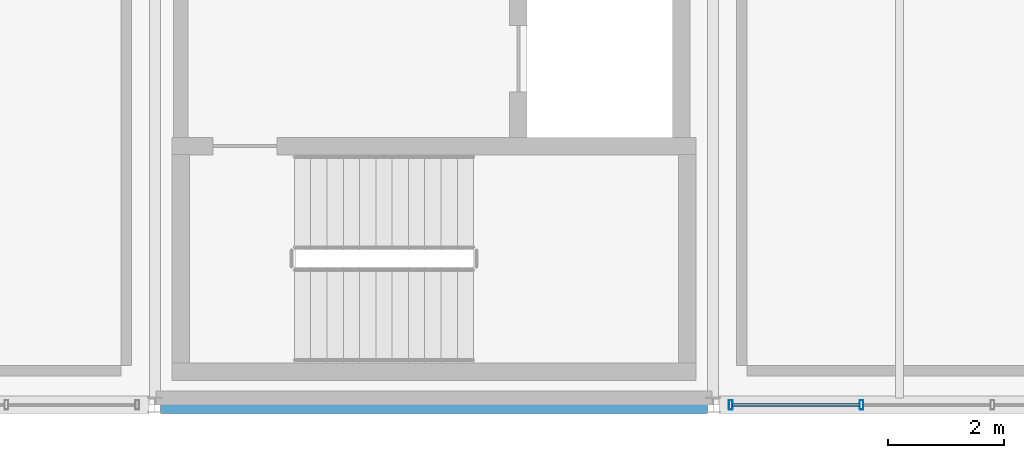
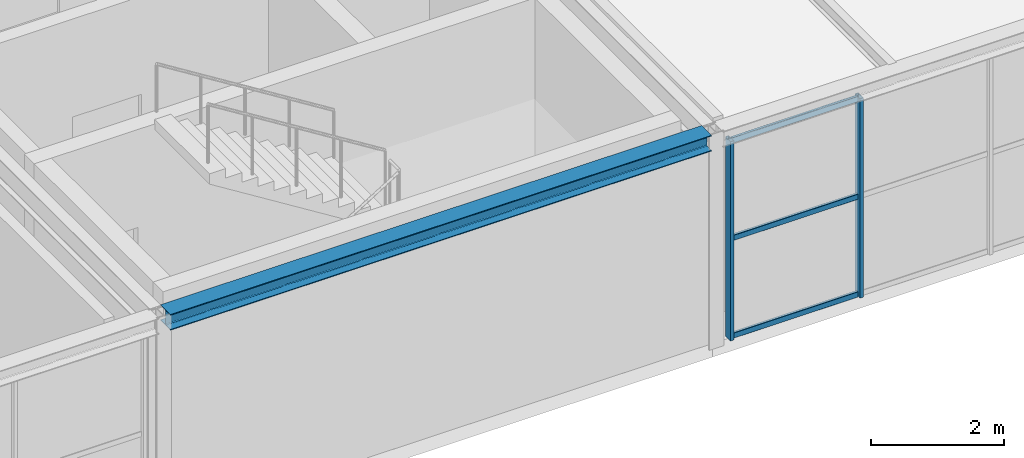
# One storey, part 10 of 39: 5 members, 1 beam, 1 element without a shape of its own.
"""IFC4 building model written with IfcOpenShell, lengths in metres."""

import ifcopenshell
import ifcopenshell.guid

model = None  # the IFC model being written
_history = None  # IfcOwnerHistory: only IFC2X3 demands one
_inside = {}  # id of a spatial element -> (the spatial element, [elements in it])
_under = {}  # id of a project, library or spatial element -> (it, [spatial elements below it])
_declared = {}  # id of a project -> (the project, [libraries it declares])
_typed = {}  # id of a type object -> (the type object, [elements of that type])
_made_of = {}  # id of a material, layer set ... -> (it, [elements and type objects made of it])


def new_model(schema):
    """Start an empty IFC model of exactly this schema.

    Asked for "IFC4X3", IfcOpenShell would pick the latest addendum, in which some entities
    have other attributes; the version numbers below select the first issue.
    IFC2X3 requires an IfcOwnerHistory on every rooted entity: one is made here for all.
    """
    global model, _history
    if schema == "IFC4X3":
        model = ifcopenshell.file(schema_version=(4, 3, 0, 0))
    else:
        model = ifcopenshell.file(schema=schema)
    _inside.clear()
    _under.clear()
    _declared.clear()
    _typed.clear()
    _made_of.clear()
    _history = None
    if model.schema == "IFC2X3":
        org = make("IfcOrganization", Name="unknown")
        user = make(
            "IfcPersonAndOrganization",
            ThePerson=make("IfcPerson", FamilyName="unknown"),
            TheOrganization=org,
        )
        app = make(
            "IfcApplication",
            ApplicationDeveloper=org,
            Version="unknown",
            ApplicationFullName="unknown",
            ApplicationIdentifier="unknown",
        )
        _history = make(
            "IfcOwnerHistory",
            OwningUser=user,
            OwningApplication=app,
            ChangeAction="ADDED",
            CreationDate=0,
        )
    return model


def make(cls, **values):
    """One entity of the class cls with the attributes given. An attribute that is None is left unset."""
    return model.create_entity(
        cls, **{name: value for name, value in values.items() if value is not None}
    )


def rooted(cls, **values):
    """An entity with a GlobalId (a new one), such as an element, a storey or a relation."""
    return make(cls, GlobalId=ifcopenshell.guid.new(), OwnerHistory=_history, **values)


def si_unit(unit_type, name, prefix=None):
    """IfcSIUnit, for example si_unit("LENGTHUNIT", "METRE", prefix="MILLI")."""
    return make("IfcSIUnit", UnitType=unit_type, Prefix=prefix, Name=name)


def assignment(units):
    """IfcUnitAssignment: the units of a project."""
    return None if units is None else make("IfcUnitAssignment", Units=units)


def point(xyz):
    """IfcCartesianPoint."""
    return None if xyz is None else make("IfcCartesianPoint", Coordinates=xyz)


def direction(xyz):
    """IfcDirection."""
    return None if xyz is None else make("IfcDirection", DirectionRatios=xyz)


def frame(location, z_axis=None, x_axis=None):
    """IfcAxis2Placement3D, a coordinate frame: its origin and axes. An axis left out is left unset."""
    return make(
        "IfcAxis2Placement3D",
        Location=point(location),
        Axis=direction(z_axis),
        RefDirection=direction(x_axis),
    )


def frame_2d(location, x_axis=None):
    """IfcAxis2Placement2D, a coordinate frame in the plane: its origin and x axis."""
    return make(
        "IfcAxis2Placement2D", Location=point(location), RefDirection=direction(x_axis)
    )


def origin():
    """The frame at (0, 0, 0) with its axes left unset."""
    return frame((0.0, 0.0, 0.0))


def origin_2d():
    """The frame at (0, 0) in the plane with its x axis left unset."""
    return frame_2d((0.0, 0.0))


def place(relative_to, where):
    """IfcLocalPlacement: puts the frame where relative to a parent placement (None: the world)."""
    return make(
        "IfcLocalPlacement", PlacementRelTo=relative_to, RelativePlacement=where
    )


def context(
    kind, dimensions, precision=None, world=None, true_north=None, identifier=None
):
    """IfcGeometricRepresentationContext, for example the 3D "Model" context."""
    return make(
        "IfcGeometricRepresentationContext",
        ContextIdentifier=identifier,
        ContextType=kind,
        CoordinateSpaceDimension=dimensions,
        Precision=precision,
        WorldCoordinateSystem=world,
        TrueNorth=true_north,
    )


def subcontext(parent, identifier, kind, view, scale=None):
    """IfcGeometricRepresentationSubContext, for example "Body" below "Model"."""
    return make(
        "IfcGeometricRepresentationSubContext",
        ContextIdentifier=identifier,
        ContextType=kind,
        ParentContext=parent,
        TargetScale=scale,
        TargetView=view,
    )


def project(units=None, contexts=None):
    """IfcProject with its units and contexts."""
    return rooted(
        "IfcProject",
        Name="project",
        RepresentationContexts=contexts,
        UnitsInContext=assignment(units),
    )


def spatial(cls, under=None, at=None, **own):
    """A site, building, storey or space (cls), placed at a placement, below another one or the project."""
    s = rooted(cls, ObjectPlacement=at, **own)
    if under is not None:
        _under.setdefault(under.id(), (under, []))[1].append(s)
    return s


def profile(cls, at=None, kind="AREA", **sizes):
    """A parametric profile (cls). Its sizes go by their IFC names, for example OverallWidth=200.0."""
    return make(cls, ProfileType=kind, Position=at, **sizes)


def hollow_rectangle(**sizes):
    """IfcRectangleHollowProfileDef."""
    return profile("IfcRectangleHollowProfileDef", **sizes)


def i_section(**sizes):
    """IfcIShapeProfileDef."""
    return profile("IfcIShapeProfileDef", **sizes)


def extrude(swept, where, along, depth):
    """IfcExtrudedAreaSolid: the profile swept, set in the frame where, extruded along a direction by depth."""
    return make(
        "IfcExtrudedAreaSolid",
        SweptArea=swept,
        Position=where,
        ExtrudedDirection=direction(along),
        Depth=depth,
    )


def shape(context_of_items, identifier, shape_type, items):
    """IfcShapeRepresentation: the items that make up one representation, for example the "Body"."""
    return make(
        "IfcShapeRepresentation",
        ContextOfItems=context_of_items,
        RepresentationIdentifier=identifier,
        RepresentationType=shape_type,
        Items=items,
    )


def material(Name=None, Category=None):
    """IfcMaterial."""
    return make("IfcMaterial", Name=Name, Category=Category)


def material_profile(
    of_material, cross_section, Name=None, Category=None, Priority=None
):
    """IfcMaterialProfile: a cross section and its material."""
    return make(
        "IfcMaterialProfile",
        Name=Name,
        Material=of_material,
        Profile=cross_section,
        Priority=Priority,
        Category=Category,
    )


def profile_set(profiles, Name=None, composite=None):
    """IfcMaterialProfileSet."""
    return make(
        "IfcMaterialProfileSet",
        Name=Name,
        MaterialProfiles=profiles,
        CompositeProfile=composite,
    )


def made_of(thing, what):
    """Note that an element or type object is made of a material, layer set ...; save() writes the relation."""
    if what is not None:
        _made_of.setdefault(what.id(), (what, []))[1].append(thing)
    return thing


def type_object(cls, material=None, **own):
    """A type object (cls), such as IfcWallType, which elements share."""
    return made_of(rooted(cls, **own), material)


def element(
    cls,
    number,
    at=None,
    inside=None,
    cuts=None,
    type_object=None,
    material=None,
    context=None,
    identifier="Body",
    shape_type=None,
    held_by="IfcProductDefinitionShape",
    body=None,
    shapes=None,
    **own,
):
    """One element of the class cls, such as IfcWall. Its Tag is "e" and its number.

    at: its placement. inside: the storey or other place that contains it. cuts: it is an
    opening in that element (IfcRelVoidsElement). A single representation is given by context,
    identifier, shape_type and body (its items); several are given by shapes. held_by: the class
    of the entity that holds the representations. save() writes the other relations.
    """
    e = rooted(cls, Tag="e%d" % number, ObjectPlacement=at, **own)
    if body is not None:
        shapes = [shape(context, identifier, shape_type, body)]
    if shapes is not None:
        e.Representation = make(held_by, Representations=shapes)
    if inside is not None:
        _inside.setdefault(inside.id(), (inside, []))[1].append(e)
    if cuts is not None:
        rooted(
            "IfcRelVoidsElement", RelatingBuildingElement=cuts, RelatedOpeningElement=e
        )
    if type_object is not None:
        _typed.setdefault(type_object.id(), (type_object, []))[1].append(e)
    return made_of(e, material)


def aggregate(whole, parts):
    """IfcRelAggregates: a whole, such as a stair, and the parts it consists of."""
    return rooted("IfcRelAggregates", RelatingObject=whole, RelatedObjects=parts)


def save(model, path):
    """Write the relations noted so far, then the file.

    IfcRelAggregates (storeys below a building ...), IfcRelContainedInSpatialStructure (elements
    in a storey), IfcRelDefinesByType, IfcRelAssociatesMaterial and IfcRelDeclares: one each for
    every whole, place, type object, material and project.
    """
    for whole, parts in _under.values():
        aggregate(whole, parts)
    for where, things in _inside.values():
        rooted(
            "IfcRelContainedInSpatialStructure",
            RelatedElements=things,
            RelatingStructure=where,
        )
    for kind, things in _typed.values():
        rooted("IfcRelDefinesByType", RelatedObjects=things, RelatingType=kind)
    for what, things in _made_of.values():
        rooted("IfcRelAssociatesMaterial", RelatedObjects=things, RelatingMaterial=what)
    for by, libraries in _declared.values():
        rooted("IfcRelDeclares", RelatingContext=by, RelatedDefinitions=libraries)
    model.write(path)


model = new_model("IFC4")

# Units and contexts
model_context = context("Model", 3, precision=1e-05, world=origin(), true_north=direction((0.0, 1.0)))
body_context = subcontext(model_context, "Body", "Model", "MODEL_VIEW")
ifc_project = project(units=[si_unit("LENGTHUNIT", "METRE"), si_unit("AREAUNIT", "SQUARE_METRE"), si_unit("VOLUMEUNIT", "CUBIC_METRE"), si_unit("PLANEANGLEUNIT", "RADIAN"), si_unit("MASSUNIT", "GRAM", prefix="KILO")], contexts=[model_context])

# Site, building, storey
site_placement = place(None, origin())
site = spatial("IfcSite", under=ifc_project, at=site_placement, CompositionType="ELEMENT")
building_placement = place(site_placement, origin())
building = spatial("IfcBuilding", under=site, at=building_placement, Name="Coralgate Yard Interchange", CompositionType="ELEMENT")
storey_placement = place(building_placement, frame((0.0, 0.0, 18.89990234375)))
storey = spatial("IfcBuildingStorey", under=building, at=storey_placement, Name="L04", CompositionType="ELEMENT", Elevation=18.89990234375)

# Beam
ifc_material_1 = material(Name="Structural steel S355J2", Category="steel")
ifc_material_profile_1 = material_profile(ifc_material_1, i_section(OverallWidth=0.300048828125, OverallDepth=0.2900390625, WebThickness=0.008544921875, FlangeThickness=0.013916015625, FilletRadius=0.027099609375, at=origin_2d()), Name="HEA 300")
ifc_profile_set_1 = profile_set([ifc_material_profile_1], Name="Structural steel S355J2")
beam_type = type_object("IfcBeamType", Name="BM-SP-2", PredefinedType="SPANDREL", material=ifc_profile_set_1)
beam_placement = place(storey_placement, frame((19.29931640625, 0.0, 3.80517578125), z_axis=(1.0, 0.0, 0.0), x_axis=(0.0, 1.0, 0.0)))
element("IfcBeam", 1, at=beam_placement, inside=storey, type_object=beam_type, Name="L04 primary grid beam Y0 X2-3", PredefinedType="SPANDREL", context=body_context, shape_type="SweptSolid", body=[
    extrude(i_section(OverallWidth=0.300048828125, OverallDepth=0.2900390625, WebThickness=0.008544921875, FlangeThickness=0.013916015625, FilletRadius=0.027099609375, at=origin_2d()), origin(), (0.0, 0.0, 1.0), 9.4013671875),
])

# Curtain wall, members
ifc_material_2 = material(Name="Anodised coastal aluminium and solar-control low-E glass", Category="aluminium")
curtain_wall_type = type_object("IfcCurtainWallType", Name="CW-CW-L04-A", PredefinedType="NOTDEFINED", material=ifc_material_2)
curtain_wall_placement = place(storey_placement, origin())
curtain_wall = element("IfcCurtainWall", 2, at=curtain_wall_placement, inside=storey, type_object=curtain_wall_type, Name="L04 unitised curtain wall CW-L04-S-03-00", PredefinedType="NOTDEFINED")
ifc_material_3 = material(Name="Anodised coastal aluminium 6063-T6", Category="aluminium")
ifc_material_profile_2 = material_profile(ifc_material_3, hollow_rectangle(XDim=0.06494140625, YDim=0.159912109375, WallThickness=0.00390625, InnerFilletRadius=0.00390625, OuterFilletRadius=0.008056640625, at=origin_2d()), Name="ALU 65x160x4")
ifc_profile_set_2 = profile_set([ifc_material_profile_2], Name="Anodised coastal aluminium 6063-T6")
member_type_1 = type_object("IfcMemberType", Name="MB-MUL-160", PredefinedType="MULLION", material=ifc_profile_set_2)
member_1_placement = place(storey_placement, frame((31.35009765625, 0.0, 0.0), z_axis=(0.0, 0.0, 1.0), x_axis=(1.0, 0.0, 0.0)))
member_1 = element("IfcMember", 3, at=member_1_placement, type_object=member_type_1, Name="CW-L04-S-03-00 vertical mullion 4", PredefinedType="MULLION", context=body_context, shape_type="SweptSolid", body=[
    extrude(hollow_rectangle(XDim=0.06494140625, YDim=0.159912109375, WallThickness=0.00390625, InnerFilletRadius=0.00390625, OuterFilletRadius=0.008056640625, at=origin_2d()), origin(), (0.0, 0.0, 1.0), 3.66015625),
])
member_2_placement = place(storey_placement, frame((29.10009765625, 0.0, 0.0), z_axis=(0.0, 0.0, 1.0), x_axis=(1.0, 0.0, 0.0)))
member_2 = element("IfcMember", 4, at=member_2_placement, type_object=member_type_1, Name="CW-L04-S-03-00 vertical mullion 5", PredefinedType="MULLION", context=body_context, shape_type="SweptSolid", body=[
    extrude(hollow_rectangle(XDim=0.06494140625, YDim=0.159912109375, WallThickness=0.00390625, InnerFilletRadius=0.00390625, OuterFilletRadius=0.008056640625, at=origin_2d()), origin(), (0.0, 0.0, 1.0), 3.66015625),
])
ifc_material_profile_3 = material_profile(ifc_material_3, hollow_rectangle(XDim=0.050048828125, YDim=0.10009765625, WallThickness=0.0029296875, InnerFilletRadius=0.0029296875, OuterFilletRadius=0.006103515625, at=origin_2d()), Name="ALU 50x100x3")
ifc_profile_set_3 = profile_set([ifc_material_profile_3], Name="Anodised coastal aluminium 6063-T6")
member_type_2 = type_object("IfcMemberType", Name="MB-TRN-100", PredefinedType="USERDEFINED", material=ifc_profile_set_3)
member_3_placement = place(storey_placement, frame((31.320068359375, 0.0, 0.03515625), z_axis=(-1.0, 0.0, 0.0), x_axis=(0.0, -1.0, 0.0)))
member_3 = element("IfcMember", 5, at=member_3_placement, type_object=member_type_2, Name="CW-L04-S-03-00 horizontal transom 4-1", ObjectType="TRANSOM", PredefinedType="USERDEFINED", context=body_context, shape_type="SweptSolid", body=[
    extrude(hollow_rectangle(XDim=0.050048828125, YDim=0.10009765625, WallThickness=0.0029296875, InnerFilletRadius=0.0029296875, OuterFilletRadius=0.006103515625, at=origin_2d()), origin(), (0.0, 0.0, 1.0), 2.190185546875),
])
member_4_placement = place(storey_placement, frame((31.320068359375, 0.0, 1.830078125), z_axis=(-1.0, 0.0, 0.0), x_axis=(0.0, -1.0, 0.0)))
member_4 = element("IfcMember", 6, at=member_4_placement, type_object=member_type_2, Name="CW-L04-S-03-00 horizontal transom 4-2", ObjectType="TRANSOM", PredefinedType="USERDEFINED", context=body_context, shape_type="SweptSolid", body=[
    extrude(hollow_rectangle(XDim=0.050048828125, YDim=0.10009765625, WallThickness=0.0029296875, InnerFilletRadius=0.0029296875, OuterFilletRadius=0.006103515625, at=origin_2d()), origin(), (0.0, 0.0, 1.0), 2.190185546875),
])
member_5_placement = place(storey_placement, frame((31.320068359375, 0.0, 3.625), z_axis=(-1.0, 0.0, 0.0), x_axis=(0.0, -1.0, 0.0)))
member_5 = element("IfcMember", 7, at=member_5_placement, type_object=member_type_2, Name="CW-L04-S-03-00 horizontal transom 4-3", ObjectType="TRANSOM", PredefinedType="USERDEFINED", context=body_context, shape_type="SweptSolid", body=[
    extrude(hollow_rectangle(XDim=0.050048828125, YDim=0.10009765625, WallThickness=0.0029296875, InnerFilletRadius=0.0029296875, OuterFilletRadius=0.006103515625, at=origin_2d()), origin(), (0.0, 0.0, 1.0), 2.190185546875),
])
aggregate(curtain_wall, [member_1, member_2, member_3, member_4, member_5])

save(model, "model.ifc")
